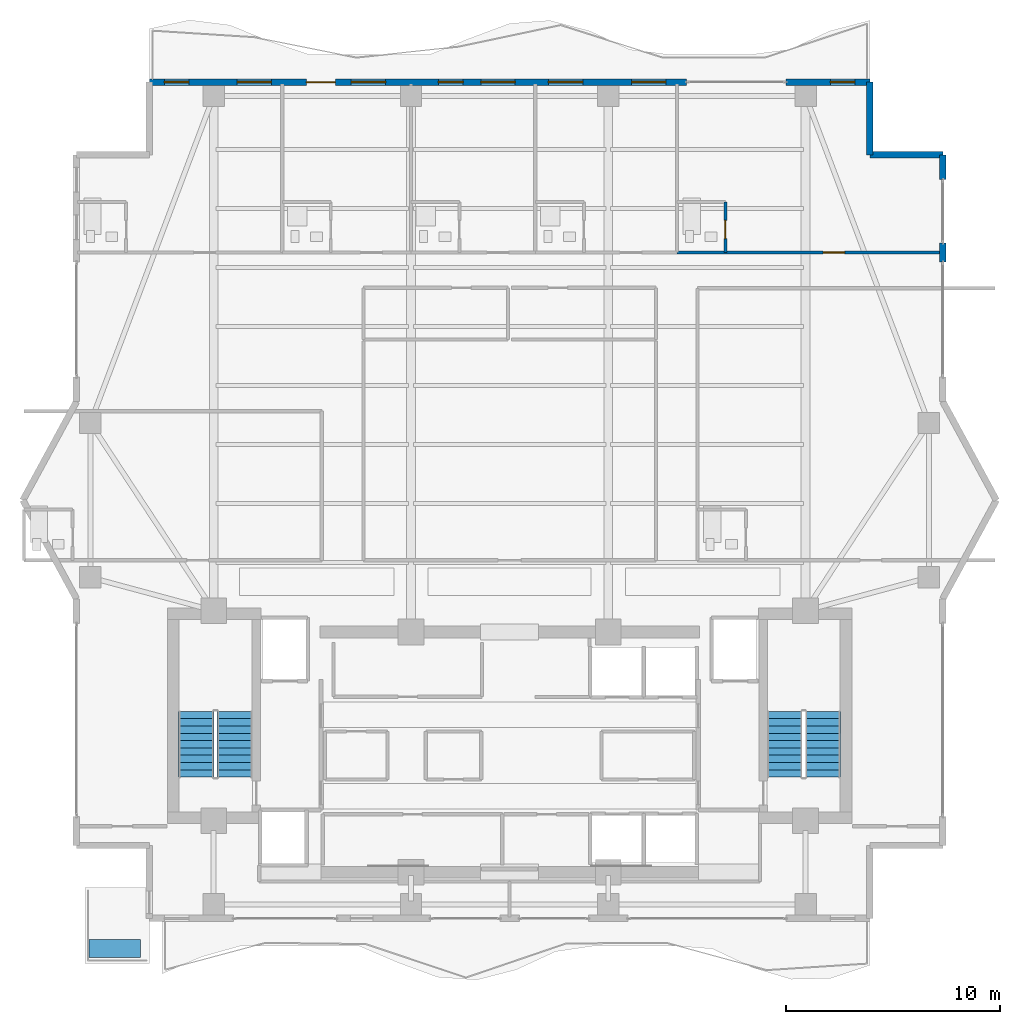
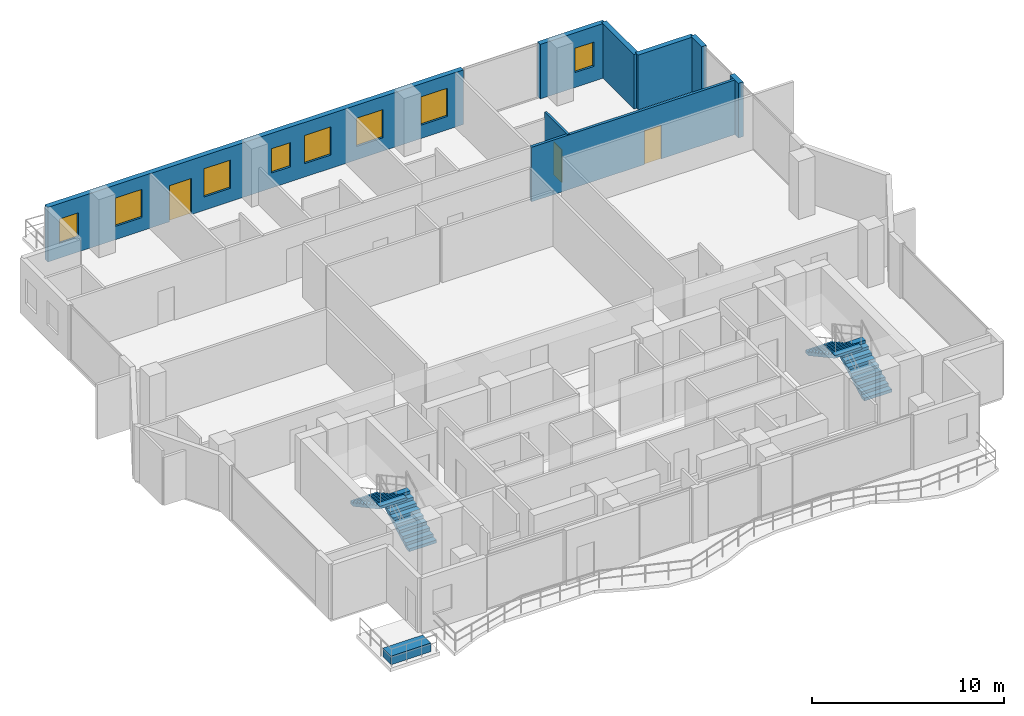
# One storey, part 21 of 25: 8 walls, 8 windows, 4 stair flights, 3 doors, 1 building element part, 11 openings, 2 elements without a shape of their own.
"""IFC4 building model written with IfcOpenShell, lengths in metres."""

from ifc_helpers import new_model, si_unit, direction, frame, frame_2d, origin, origin_2d, place, context, subcontext, project, spatial, polyline, rectangle, outline, extrude, material, layer, layer_set, type_object, element, fill, aggregate, save


model = new_model("IFC4")

# Units and contexts
model_context = context("Model", 3, precision=1e-05, world=origin(), true_north=direction((0.0, 1.0)))
body_context = subcontext(model_context, "Body", "Model", "MODEL_VIEW")
ifc_project = project(units=[si_unit("LENGTHUNIT", "METRE"), si_unit("AREAUNIT", "SQUARE_METRE"), si_unit("VOLUMEUNIT", "CUBIC_METRE"), si_unit("PLANEANGLEUNIT", "RADIAN"), si_unit("MASSUNIT", "GRAM", prefix="KILO")], contexts=[model_context])

# Site, building, storey
site_placement = place(None, origin())
site = spatial("IfcSite", under=ifc_project, at=site_placement, CompositionType="ELEMENT")
building_placement = place(site_placement, origin())
building = spatial("IfcBuilding", under=site, at=building_placement, Name="Zuhayl Quay Hotel", CompositionType="ELEMENT")
storey_placement = place(building_placement, frame((0.0, 0.0, 243.35009765625)))
storey = spatial("IfcBuildingStorey", under=building, at=storey_placement, Name="L61", CompositionType="ELEMENT", Elevation=243.35009765625)

# Wall, openings, door, windows
ifc_material_1 = material(Name="Precast concrete C45/55", Category="concrete")
ifc_layer_1 = layer(ifc_material_1, 0.300048828125, Name="Precast concrete C45/55", Category="concrete")
ifc_layer_set_1 = layer_set([ifc_layer_1], Name="Precast concrete C45/55")
wall_type_1 = type_object("IfcWallType", Name="WL_EXT_300", PredefinedType="STANDARD", material=ifc_layer_set_1)
wall_1_placement = place(storey_placement, frame((-16.800048828125, 39.0, 0.0), z_axis=(0.0, 0.0, 1.0), x_axis=(1.0, 0.0, 0.0)))
wall_1 = element("IfcWall", 1, at=wall_1_placement, inside=storey, type_object=wall_type_1, Name="L61 Exterior Precast Wall ENV_L61_N_EW1", PredefinedType="STANDARD", context=body_context, shape_type="SweptSolid", body=[
    extrude(rectangle(XDim=25.050048828125, YDim=0.300048828125, at=frame_2d((12.52490234375, 0.0))), origin(), (0.0, 0.0, 1.0), 3.47998046875),
])
opening_1_placement = place(wall_1_placement, frame((7.324951171875, 0.0, 0.0)))
opening_1 = element("IfcOpeningElement", 2, at=opening_1_placement, cuts=wall_1, Name="Opening DG2", PredefinedType="OPENING", context=body_context, shape_type="SweptSolid", body=[
    extrude(rectangle(XDim=1.35009765625, YDim=2.300048828125, at=frame_2d((0.675048828125, 1.14990234375))), frame((0.0, 0.159912109375, 0.0), z_axis=(0.0, -1.0, 0.0), x_axis=(1.0, 0.0, 0.0)), (0.0, 0.0, 1.0), 0.320068359375),
])
opening_2_placement = place(wall_1_placement, frame((15.4599609375, 0.0, 0.85009765625)))
opening_2 = element("IfcOpeningElement", 3, at=opening_2_placement, cuts=wall_1, Name="Opening W01", PredefinedType="OPENING", context=body_context, shape_type="SweptSolid", body=[
    extrude(rectangle(XDim=1.60009765625, YDim=1.800048828125, at=frame_2d((0.800048828125, 0.89990234375))), frame((0.0, 0.159912109375, 0.0), z_axis=(0.0, -1.0, 0.0), x_axis=(1.0, 0.0, 0.0)), (0.0, 0.0, 1.0), 0.320068359375),
])
opening_3_placement = place(wall_1_placement, frame((0.695068359375, 0.0, 0.949951171875)))
opening_3 = element("IfcOpeningElement", 4, at=opening_3_placement, cuts=wall_1, Name="Opening W01N", PredefinedType="OPENING", context=body_context, shape_type="SweptSolid", body=[
    extrude(rectangle(XDim=1.14990234375, YDim=1.550048828125, at=frame_2d((0.574951171875, 0.77490234375))), frame((0.0, 0.159912109375, 0.0), z_axis=(0.0, -1.0, 0.0), x_axis=(1.0, 0.0, 0.0)), (0.0, 0.0, 1.0), 0.320068359375),
])
opening_4_placement = place(wall_1_placement, frame((4.090087890625, 0.0, 0.85009765625)))
opening_4 = element("IfcOpeningElement", 5, at=opening_4_placement, cuts=wall_1, Name="Opening W01", PredefinedType="OPENING", context=body_context, shape_type="SweptSolid", body=[
    extrude(rectangle(XDim=1.60009765625, YDim=1.800048828125, at=frame_2d((0.800048828125, 0.89990234375))), frame((0.0, 0.159912109375, 0.0), z_axis=(0.0, -1.0, 0.0), x_axis=(1.0, 0.0, 0.0)), (0.0, 0.0, 1.0), 0.320068359375),
])
opening_5_placement = place(wall_1_placement, frame((9.41259765625, 0.0, 0.85009765625)))
opening_5 = element("IfcOpeningElement", 6, at=opening_5_placement, cuts=wall_1, Name="Opening W01", PredefinedType="OPENING", context=body_context, shape_type="SweptSolid", body=[
    extrude(rectangle(XDim=1.60009765625, YDim=1.800048828125, at=frame_2d((0.800048828125, 0.89990234375))), frame((0.0, 0.159912109375, 0.0), z_axis=(0.0, -1.0, 0.0), x_axis=(1.0, 0.0, 0.0)), (0.0, 0.0, 1.0), 0.320068359375),
])
opening_6_placement = place(wall_1_placement, frame((13.47998046875, 0.0, 0.949951171875)))
opening_6 = element("IfcOpeningElement", 7, at=opening_6_placement, cuts=wall_1, Name="Opening W01N", PredefinedType="OPENING", context=body_context, shape_type="SweptSolid", body=[
    extrude(rectangle(XDim=1.14990234375, YDim=1.550048828125, at=frame_2d((0.574951171875, 0.77490234375))), frame((0.0, 0.159912109375, 0.0), z_axis=(0.0, -1.0, 0.0), x_axis=(1.0, 0.0, 0.0)), (0.0, 0.0, 1.0), 0.320068359375),
])
opening_7_placement = place(wall_1_placement, frame((18.610107421875, 0.0, 0.85009765625)))
opening_7 = element("IfcOpeningElement", 8, at=opening_7_placement, cuts=wall_1, Name="Opening W01", PredefinedType="OPENING", context=body_context, shape_type="SweptSolid", body=[
    extrude(rectangle(XDim=1.60009765625, YDim=1.800048828125, at=frame_2d((0.800048828125, 0.89990234375))), frame((0.0, 0.159912109375, 0.0), z_axis=(0.0, -1.0, 0.0), x_axis=(1.0, 0.0, 0.0)), (0.0, 0.0, 1.0), 0.320068359375),
])
opening_8_placement = place(wall_1_placement, frame((22.489990234375, 0.0, 0.85009765625)))
opening_8 = element("IfcOpeningElement", 9, at=opening_8_placement, cuts=wall_1, Name="Opening W01", PredefinedType="OPENING", context=body_context, shape_type="SweptSolid", body=[
    extrude(rectangle(XDim=1.60009765625, YDim=1.800048828125, at=frame_2d((0.800048828125, 0.89990234375))), frame((0.0, 0.159912109375, 0.0), z_axis=(0.0, -1.0, 0.0), x_axis=(1.0, 0.0, 0.0)), (0.0, 0.0, 1.0), 0.320068359375),
])
ifc_material_2 = material(Name="Anodised Aluminium and Dark Solar Glass", Category="aluminium")
door_type_1 = type_object("IfcDoorType", Name="DR_EXT_TERR_1350", OperationType="NOTDEFINED", PredefinedType="DOOR", material=ifc_material_2)
door_1_placement = place(opening_1_placement, origin())
door_1 = element("IfcDoor", 10, at=door_1_placement, inside=storey, type_object=door_type_1, Name="L61 North Rippling Balcony Door", OperationType="SINGLE_SWING_LEFT", OverallHeight=2.300048828125, OverallWidth=1.35009765625, PredefinedType="DOOR", context=body_context, shape_type="SweptSolid", body=[
    extrude(rectangle(XDim=1.35009765625, YDim=2.300048828125, at=frame_2d((0.675048828125, 1.14990234375))), frame((0.0, 0.02490234375, 0.0), z_axis=(0.0, -1.0, 0.0), x_axis=(1.0, 0.0, 0.0)), (0.0, 0.0, 1.0), 0.050048828125),
])
fill(opening_1, door_1)
ifc_material_3 = material(Name="Dark Ceramic-Fritted Solar Glass", Category="glass")
window_type_1 = type_object("IfcWindowType", Name="WN_NOTCH_1350", PartitioningType="SINGLE_PANEL", PredefinedType="WINDOW", material=ifc_material_3)
window_1_placement = place(opening_3_placement, origin())
window_1 = element("IfcWindow", 11, at=window_1_placement, inside=storey, type_object=window_type_1, Name="L61 Operable Facade Window 1-1", OverallHeight=1.550048828125, OverallWidth=1.14990234375, PartitioningType="SINGLE_PANEL", PredefinedType="WINDOW", context=body_context, shape_type="SweptSolid", body=[
    extrude(rectangle(XDim=1.14990234375, YDim=1.550048828125, at=frame_2d((0.574951171875, 0.77490234375))), frame((0.0, 0.030029296875, 0.0), z_axis=(0.0, -1.0, 0.0), x_axis=(1.0, 0.0, 0.0)), (0.0, 0.0, 1.0), 0.06005859375),
])
fill(opening_3, window_1)
window_2_placement = place(opening_6_placement, origin())
window_2 = element("IfcWindow", 12, at=window_2_placement, inside=storey, type_object=window_type_1, Name="L61 Operable Facade Window 1-4", OverallHeight=1.550048828125, OverallWidth=1.14990234375, PartitioningType="SINGLE_PANEL", PredefinedType="WINDOW", context=body_context, shape_type="SweptSolid", body=[
    extrude(rectangle(XDim=1.14990234375, YDim=1.550048828125, at=frame_2d((0.574951171875, 0.77490234375))), frame((0.0, 0.030029296875, 0.0), z_axis=(0.0, -1.0, 0.0), x_axis=(1.0, 0.0, 0.0)), (0.0, 0.0, 1.0), 0.06005859375),
])
fill(opening_6, window_2)
window_type_2 = type_object("IfcWindowType", Name="WN_OPERABLE_1600", PartitioningType="DOUBLE_PANEL_VERTICAL", PredefinedType="WINDOW", material=ifc_material_3)
window_3_placement = place(opening_2_placement, origin())
window_3 = element("IfcWindow", 13, at=window_3_placement, inside=storey, type_object=window_type_2, Name="L61 North Operable Casement Window", OverallHeight=1.800048828125, OverallWidth=1.60009765625, PartitioningType="SINGLE_PANEL", PredefinedType="WINDOW", context=body_context, shape_type="SweptSolid", body=[
    extrude(rectangle(XDim=1.60009765625, YDim=1.800048828125, at=frame_2d((0.800048828125, 0.89990234375))), frame((0.0, 0.030029296875, 0.0), z_axis=(0.0, -1.0, 0.0), x_axis=(1.0, 0.0, 0.0)), (0.0, 0.0, 1.0), 0.06005859375),
])
fill(opening_2, window_3)
window_4_placement = place(opening_4_placement, origin())
window_4 = element("IfcWindow", 14, at=window_4_placement, inside=storey, type_object=window_type_2, Name="L61 Operable Facade Window 1-2", OverallHeight=1.800048828125, OverallWidth=1.60009765625, PartitioningType="SINGLE_PANEL", PredefinedType="WINDOW", context=body_context, shape_type="SweptSolid", body=[
    extrude(rectangle(XDim=1.60009765625, YDim=1.800048828125, at=frame_2d((0.800048828125, 0.89990234375))), frame((0.0, 0.030029296875, 0.0), z_axis=(0.0, -1.0, 0.0), x_axis=(1.0, 0.0, 0.0)), (0.0, 0.0, 1.0), 0.06005859375),
])
fill(opening_4, window_4)
window_5_placement = place(opening_5_placement, origin())
window_5 = element("IfcWindow", 15, at=window_5_placement, inside=storey, type_object=window_type_2, Name="L61 Operable Facade Window 1-3", OverallHeight=1.800048828125, OverallWidth=1.60009765625, PartitioningType="SINGLE_PANEL", PredefinedType="WINDOW", context=body_context, shape_type="SweptSolid", body=[
    extrude(rectangle(XDim=1.60009765625, YDim=1.800048828125, at=frame_2d((0.800048828125, 0.89990234375))), frame((0.0, 0.030029296875, 0.0), z_axis=(0.0, -1.0, 0.0), x_axis=(1.0, 0.0, 0.0)), (0.0, 0.0, 1.0), 0.06005859375),
])
fill(opening_5, window_5)
window_6_placement = place(opening_7_placement, origin())
window_6 = element("IfcWindow", 16, at=window_6_placement, inside=storey, type_object=window_type_2, Name="L61 Operable Facade Window 1-5", OverallHeight=1.800048828125, OverallWidth=1.60009765625, PartitioningType="SINGLE_PANEL", PredefinedType="WINDOW", context=body_context, shape_type="SweptSolid", body=[
    extrude(rectangle(XDim=1.60009765625, YDim=1.800048828125, at=frame_2d((0.800048828125, 0.89990234375))), frame((0.0, 0.030029296875, 0.0), z_axis=(0.0, -1.0, 0.0), x_axis=(1.0, 0.0, 0.0)), (0.0, 0.0, 1.0), 0.06005859375),
])
fill(opening_7, window_6)
window_7_placement = place(opening_8_placement, origin())
window_7 = element("IfcWindow", 17, at=window_7_placement, inside=storey, type_object=window_type_2, Name="L61 Operable Facade Window 1-6", OverallHeight=1.800048828125, OverallWidth=1.60009765625, PartitioningType="SINGLE_PANEL", PredefinedType="WINDOW", context=body_context, shape_type="SweptSolid", body=[
    extrude(rectangle(XDim=1.60009765625, YDim=1.800048828125, at=frame_2d((0.800048828125, 0.89990234375))), frame((0.0, 0.030029296875, 0.0), z_axis=(0.0, -1.0, 0.0), x_axis=(1.0, 0.0, 0.0)), (0.0, 0.0, 1.0), 0.06005859375),
])
fill(opening_8, window_7)

# Wall, opening, window
wall_2_placement = place(storey_placement, frame((12.8798828125, 39.0, 0.0), z_axis=(0.0, 0.0, 1.0), x_axis=(1.0, 0.0, 0.0)))
wall_2 = element("IfcWall", 18, at=wall_2_placement, inside=storey, type_object=wall_type_1, Name="L61 Exterior Precast Wall ENV_L61_N_EW2", PredefinedType="STANDARD", context=body_context, shape_type="SweptSolid", body=[
    extrude(rectangle(XDim=3.920166015625, YDim=0.300048828125, at=frame_2d((1.9599609375, 0.0))), origin(), (0.0, 0.0, 1.0), 3.47998046875),
])
opening_9_placement = place(wall_2_placement, frame((2.074951171875, 0.0, 0.949951171875)))
opening_9 = element("IfcOpeningElement", 19, at=opening_9_placement, cuts=wall_2, Name="Opening W01N", PredefinedType="OPENING", context=body_context, shape_type="SweptSolid", body=[
    extrude(rectangle(XDim=1.14990234375, YDim=1.550048828125, at=frame_2d((0.574951171875, 0.77490234375))), frame((0.0, 0.159912109375, 0.0), z_axis=(0.0, -1.0, 0.0), x_axis=(1.0, 0.0, 0.0)), (0.0, 0.0, 1.0), 0.320068359375),
])
window_8_placement = place(opening_9_placement, origin())
window_8 = element("IfcWindow", 20, at=window_8_placement, inside=storey, type_object=window_type_1, Name="L61 Operable Facade Window 2-1", OverallHeight=1.550048828125, OverallWidth=1.14990234375, PartitioningType="SINGLE_PANEL", PredefinedType="WINDOW", context=body_context, shape_type="SweptSolid", body=[
    extrude(rectangle(XDim=1.14990234375, YDim=1.550048828125, at=frame_2d((0.574951171875, 0.77490234375))), frame((0.0, 0.030029296875, 0.0), z_axis=(0.0, -1.0, 0.0), x_axis=(1.0, 0.0, 0.0)), (0.0, 0.0, 1.0), 0.06005859375),
])
fill(opening_9, window_8)

# Walls
for number, where, z_axis, x_axis, name in (
    (21, (16.800048828125, 39.0, 0.0), (0.0, 0.0, 1.0), (0.0, -1.0, 0.0), "L61 Exterior Precast Wall ENV_L61_EW09"),
    (22, (16.800048828125, 35.60009765625, 0.0), (0.0, 0.0, 1.0), (1.0, 0.0, 0.0), "L61 Exterior Precast Wall ENV_L61_EW10"),
):
    element("IfcWall", number, at=place(storey_placement, frame(where, z_axis=z_axis, x_axis=x_axis)), inside=storey, type_object=wall_type_1, Name=name, PredefinedType="STANDARD", context=body_context, shape_type="SweptSolid", body=[
        extrude(rectangle(XDim=3.39990234375, YDim=0.300048828125, at=frame_2d((1.699951171875, 0.0))), origin(), (0.0, 0.0, 1.0), 3.47998046875),
    ])
wall_3_placement = place(storey_placement, frame((20.199951171875, 35.60009765625, 0.0), z_axis=(0.0, 0.0, 1.0), x_axis=(0.0, -1.0, 0.0)))
element("IfcWall", 23, at=wall_3_placement, inside=storey, type_object=wall_type_1, Name="L61 Exterior Precast Wall ENV_L61_E11_EW1", PredefinedType="STANDARD", context=body_context, shape_type="SweptSolid", body=[
    extrude(rectangle(XDim=1.150146484375, YDim=0.300048828125, at=frame_2d((0.5751953125, 0.0))), origin(), (0.0, 0.0, 1.0), 3.47998046875),
])
wall_4_placement = place(storey_placement, frame((20.199951171875, 31.5, 0.0), z_axis=(0.0, 0.0, 1.0), x_axis=(0.0, -1.0, 0.0)))
element("IfcWall", 24, at=wall_4_placement, inside=storey, type_object=wall_type_1, Name="L61 Exterior Precast Wall ENV_L61_E11_EW2", PredefinedType="STANDARD", context=body_context, shape_type="SweptSolid", body=[
    extrude(rectangle(XDim=0.89990234375, YDim=0.300048828125, at=frame_2d((0.449951171875, 0.0))), origin(), (0.0, 0.0, 1.0), 3.47998046875),
])

# Wall, opening, door
ifc_material_4 = material(Name="Acoustic Gypsum Partition STC-58")
ifc_layer_2 = layer(ifc_material_4, 0.159912109375, Name="Acoustic Gypsum Partition STC-58")
ifc_layer_set_2 = layer_set([ifc_layer_2], Name="Acoustic Gypsum Partition STC-58")
wall_type_2 = type_object("IfcWallType", Name="WL_PART_CORR_160", PredefinedType="PARTITIONING", material=ifc_layer_set_2)
wall_5_placement = place(storey_placement, frame((7.800048828125, 31.050048828125, 0.0), z_axis=(0.0, 0.0, 1.0), x_axis=(1.0, 0.0, 0.0)))
wall_5 = element("IfcWall", 25, at=wall_5_placement, inside=storey, type_object=wall_type_2, Name="L61 Partition IW_L61_NU05_COR", PredefinedType="PARTITIONING", context=body_context, shape_type="SweptSolid", body=[
    extrude(rectangle(XDim=12.33984375, YDim=0.159912109375, at=frame_2d((6.169921875, 0.0))), origin(), (0.0, 0.0, 1.0), 3.47998046875),
])
opening_10_placement = place(wall_5_placement, frame((6.820068359375, 0.0, 0.0)))
opening_10 = element("IfcOpeningElement", 26, at=opening_10_placement, cuts=wall_5, Name="Opening D03L", PredefinedType="OPENING", context=body_context, shape_type="SweptSolid", body=[
    extrude(rectangle(XDim=1.0, YDim=2.14990234375, at=frame_2d((0.5, 1.074951171875))), frame((0.0, 0.08984375, 0.0), z_axis=(0.0, -1.0, 0.0), x_axis=(1.0, 0.0, 0.0)), (0.0, 0.0, 1.0), 0.179931640625),
])
ifc_material_5 = material(Name="Solid Walnut Acoustic Fire Door")
door_type_2 = type_object("IfcDoorType", Name="DR_SUITE_1000", OperationType="NOTDEFINED", PredefinedType="DOOR", material=ifc_material_5)
door_2_placement = place(opening_10_placement, origin())
door_2 = element("IfcDoor", 27, at=door_2_placement, inside=storey, type_object=door_type_2, Name="L61 Royal Gulf Suite L61-05 Entrance Door", OperationType="SINGLE_SWING_LEFT", OverallHeight=2.14990234375, OverallWidth=1.0, PredefinedType="DOOR", context=body_context, shape_type="SweptSolid", body=[
    extrude(rectangle(XDim=1.0, YDim=2.14990234375, at=frame_2d((0.5, 1.074951171875))), frame((0.0, 0.02490234375, 0.0), z_axis=(0.0, -1.0, 0.0), x_axis=(1.0, 0.0, 0.0)), (0.0, 0.0, 1.0), 0.050048828125),
])
fill(opening_10, door_2)

ifc_material_6 = material(Name="Moisture-Resistant Sanitarychase Gypsum")
ifc_layer_3 = layer(ifc_material_6, 0.135009765625, Name="Moisture-Resistant Sanitarychase Gypsum")
ifc_layer_set_3 = layer_set([ifc_layer_3], Name="Moisture-Resistant Sanitarychase Gypsum")
wall_type_3 = type_object("IfcWallType", Name="WL_PART_PLUMB_150", PredefinedType="PLUMBINGWALL", material=ifc_layer_set_3)
wall_6_placement = place(storey_placement, frame((10.06005859375, 31.050048828125, 0.0), z_axis=(0.0, 0.0, 1.0), x_axis=(0.0, 1.0, 0.0)))
wall_6 = element("IfcWall", 28, at=wall_6_placement, inside=storey, type_object=wall_type_3, Name="L61 Partition IW_L61_NU05_BE", PredefinedType="PLUMBINGWALL", context=body_context, shape_type="SweptSolid", body=[
    extrude(rectangle(XDim=2.35986328125, YDim=0.135009765625, at=frame_2d((1.179931640625, 0.0))), origin(), (0.0, 0.0, 1.0), 3.47998046875),
])
opening_11_placement = place(wall_6_placement, frame((0.64990234375, 0.0, 0.0)))
opening_11 = element("IfcOpeningElement", 29, at=opening_11_placement, cuts=wall_6, Name="Opening D04", PredefinedType="OPENING", context=body_context, shape_type="SweptSolid", body=[
    extrude(rectangle(XDim=0.85009765625, YDim=2.10009765625, at=frame_2d((0.425048828125, 1.050048828125))), frame((0.0, 0.077392578125, 0.0), z_axis=(0.0, -1.0, 0.0), x_axis=(1.0, 0.0, 0.0)), (0.0, 0.0, 1.0), 0.155029296875),
])
ifc_material_7 = material(Name="Moisture-Resistant Walnut Veneer")
door_type_3 = type_object("IfcDoorType", Name="DR_BATH_850", OperationType="NOTDEFINED", PredefinedType="DOOR", material=ifc_material_7)
door_3_placement = place(opening_11_placement, origin())
door_3 = element("IfcDoor", 30, at=door_3_placement, inside=storey, type_object=door_type_3, Name="L61 Royal Gulf Suite L61-05 En-Suite Door", OperationType="SINGLE_SWING_RIGHT", OverallHeight=2.10009765625, OverallWidth=0.85009765625, PredefinedType="DOOR", context=body_context, shape_type="SweptSolid", body=[
    extrude(rectangle(XDim=0.85009765625, YDim=2.10009765625, at=frame_2d((0.425048828125, 1.050048828125))), frame((0.0, 0.02490234375, 0.0), z_axis=(0.0, -1.0, 0.0), x_axis=(1.0, 0.0, 0.0)), (0.0, 0.0, 1.0), 0.050048828125),
])
fill(opening_11, door_3)

# Stair, stair flights
ifc_material_8 = material(Name="Concrete C45/55", Category="concrete")
stair_type = type_object("IfcStairType", Name="ST_DOGLEG_TOWER", PredefinedType="HALF_TURN_STAIR", material=ifc_material_8)
stair_1_placement = place(storey_placement, origin())
stair_1 = element("IfcStair", 31, at=stair_1_placement, inside=storey, type_object=stair_type, Name="L61 Smokeproof Exit Stair ST1", PredefinedType="HALF_TURN_STAIR")
ifc_layer_4 = layer(ifc_material_8, 0.159912109375, Name="Concrete C45/55", Category="concrete")
ifc_layer_set_4 = layer_set([ifc_layer_4], Name="Concrete C45/55")
stair_flight_type = type_object("IfcStairFlightType", Name="SF_CONC_164", PredefinedType="STRAIGHT", material=ifc_layer_set_4)
stair_flight_1_placement = place(storey_placement, frame((-12.820068359375, 6.590087890625, 0.0), z_axis=(0.0, 0.0, 1.0), x_axis=(0.0, 1.0, 0.0)))
stair_flight_1 = element("IfcStairFlight", 32, at=stair_flight_1_placement, type_object=stair_flight_type, Name="ST1 flight 1", NumberOfRisers=10, NumberOfTreads=9, PredefinedType="STRAIGHT", RiserHeight=0.185, TreadLength=0.34, context=body_context, shape_type="SweptSolid", body=[
    extrude(outline(polyline([(0.0, 0.0), (0.0, 0.18505859375), (0.340087890625, 0.18505859375), (0.340087890625, 0.3701171875), (0.679931640625, 0.3701171875), (0.679931640625, 0.554931640625), (1.02001953125, 0.554931640625), (1.02001953125, 0.739990234375), (1.360107421875, 0.739990234375), (1.360107421875, 0.925048828125), (1.699951171875, 0.925048828125), (1.699951171875, 1.110107421875), (2.0400390625, 1.110107421875), (2.0400390625, 1.294921875), (2.3798828125, 1.294921875), (2.3798828125, 1.47998046875), (2.719970703125, 1.47998046875), (2.719970703125, 1.6650390625), (3.06005859375, 1.6650390625), (3.06005859375, 1.85009765625), (3.06005859375, 1.494384765625), (0.313720703125, 0.0), (0.0, 0.0)])), frame((0.0, 0.81982421875, 0.0), z_axis=(0.0, -1.0, 0.0), x_axis=(1.0, 0.0, 0.0)), (0.0, 0.0, 1.0), 1.639892578125),
])
stair_flight_2_placement = place(storey_placement, frame((-14.610107421875, 9.64990234375, 1.849853515625), z_axis=(0.0, 0.0, 1.0), x_axis=(0.0, -1.0, 0.0)))
stair_flight_2 = element("IfcStairFlight", 33, at=stair_flight_2_placement, type_object=stair_flight_type, Name="ST1 flight 2", NumberOfRisers=10, NumberOfTreads=9, PredefinedType="STRAIGHT", RiserHeight=0.185, TreadLength=0.34, context=body_context, shape_type="SweptSolid", body=[
    extrude(outline(polyline([(0.0, 0.0), (0.0, 0.18505859375), (0.340087890625, 0.18505859375), (0.340087890625, 0.3701171875), (0.679931640625, 0.3701171875), (0.679931640625, 0.554931640625), (1.02001953125, 0.554931640625), (1.02001953125, 0.739990234375), (1.360107421875, 0.739990234375), (1.360107421875, 0.925048828125), (1.699951171875, 0.925048828125), (1.699951171875, 1.110107421875), (2.0400390625, 1.110107421875), (2.0400390625, 1.294921875), (2.3798828125, 1.294921875), (2.3798828125, 1.47998046875), (2.719970703125, 1.47998046875), (2.719970703125, 1.6650390625), (3.06005859375, 1.6650390625), (3.06005859375, 1.85009765625), (3.06005859375, 1.494384765625), (0.313720703125, 0.0), (0.0, 0.0)])), frame((0.0, 0.81982421875, 0.0), z_axis=(0.0, -1.0, 0.0), x_axis=(1.0, 0.0, 0.0)), (0.0, 0.0, 1.0), 1.639892578125),
])
aggregate(stair_1, [stair_flight_1, stair_flight_2])

stair_2_placement = place(storey_placement, origin())
stair_2 = element("IfcStair", 34, at=stair_2_placement, inside=storey, type_object=stair_type, Name="L61 Smokeproof Exit Stair ST2", PredefinedType="HALF_TURN_STAIR")
stair_flight_3_placement = place(storey_placement, frame((14.610107421875, 6.590087890625, 0.0), z_axis=(0.0, 0.0, 1.0), x_axis=(0.0, 1.0, 0.0)))
stair_flight_3 = element("IfcStairFlight", 35, at=stair_flight_3_placement, type_object=stair_flight_type, Name="ST2 flight 1", NumberOfRisers=10, NumberOfTreads=9, PredefinedType="STRAIGHT", RiserHeight=0.185, TreadLength=0.34, context=body_context, shape_type="SweptSolid", body=[
    extrude(outline(polyline([(0.0, 0.0), (0.0, 0.18505859375), (0.340087890625, 0.18505859375), (0.340087890625, 0.3701171875), (0.679931640625, 0.3701171875), (0.679931640625, 0.554931640625), (1.02001953125, 0.554931640625), (1.02001953125, 0.739990234375), (1.360107421875, 0.739990234375), (1.360107421875, 0.925048828125), (1.699951171875, 0.925048828125), (1.699951171875, 1.110107421875), (2.0400390625, 1.110107421875), (2.0400390625, 1.294921875), (2.3798828125, 1.294921875), (2.3798828125, 1.47998046875), (2.719970703125, 1.47998046875), (2.719970703125, 1.6650390625), (3.06005859375, 1.6650390625), (3.06005859375, 1.85009765625), (3.06005859375, 1.494384765625), (0.313720703125, 0.0), (0.0, 0.0)])), frame((0.0, 0.81982421875, 0.0), z_axis=(0.0, -1.0, 0.0), x_axis=(1.0, 0.0, 0.0)), (0.0, 0.0, 1.0), 1.639892578125),
])
stair_flight_4_placement = place(storey_placement, frame((12.820068359375, 9.64990234375, 1.849853515625), z_axis=(0.0, 0.0, 1.0), x_axis=(0.0, -1.0, 0.0)))
stair_flight_4 = element("IfcStairFlight", 36, at=stair_flight_4_placement, type_object=stair_flight_type, Name="ST2 flight 2", NumberOfRisers=10, NumberOfTreads=9, PredefinedType="STRAIGHT", RiserHeight=0.185, TreadLength=0.34, context=body_context, shape_type="SweptSolid", body=[
    extrude(outline(polyline([(0.0, 0.0), (0.0, 0.18505859375), (0.340087890625, 0.18505859375), (0.340087890625, 0.3701171875), (0.679931640625, 0.3701171875), (0.679931640625, 0.554931640625), (1.02001953125, 0.554931640625), (1.02001953125, 0.739990234375), (1.360107421875, 0.739990234375), (1.360107421875, 0.925048828125), (1.699951171875, 0.925048828125), (1.699951171875, 1.110107421875), (2.0400390625, 1.110107421875), (2.0400390625, 1.294921875), (2.3798828125, 1.294921875), (2.3798828125, 1.47998046875), (2.719970703125, 1.47998046875), (2.719970703125, 1.6650390625), (3.06005859375, 1.6650390625), (3.06005859375, 1.85009765625), (3.06005859375, 1.494384765625), (0.313720703125, 0.0), (0.0, 0.0)])), frame((0.0, 0.81982421875, 0.0), z_axis=(0.0, -1.0, 0.0), x_axis=(1.0, 0.0, 0.0)), (0.0, 0.0, 1.0), 1.639892578125),
])
aggregate(stair_2, [stair_flight_3, stair_flight_4])

# Building element part
ifc_layer_5 = layer(ifc_material_1, 0.550048828125, Name="Precast concrete C45/55", Category="concrete")
ifc_layer_set_5 = layer_set([ifc_layer_5], Name="Precast concrete C45/55")
building_element_part_type = type_object("IfcBuildingElementPartType", Name="PT_PLANTER_KERB", PredefinedType="PRECASTPANEL", material=ifc_layer_set_5)
building_element_part_placement = place(storey_placement, frame((-18.409912109375, -1.409912109375, 0.0), z_axis=(0.0, 0.0, 1.0), x_axis=(1.0, 0.0, 0.0)))
element("IfcBuildingElementPart", 37, at=building_element_part_placement, inside=storey, type_object=building_element_part_type, Name="L61 Spiral Sky-Terrace Planter Box SW", PredefinedType="PRECASTPANEL", context=body_context, shape_type="SweptSolid", body=[
    extrude(rectangle(XDim=2.39990234375, YDim=0.85009765625, at=origin_2d()), origin(), (0.0, 0.0, 1.0), 0.550048828125),
])

save(model, "model.ifc")
